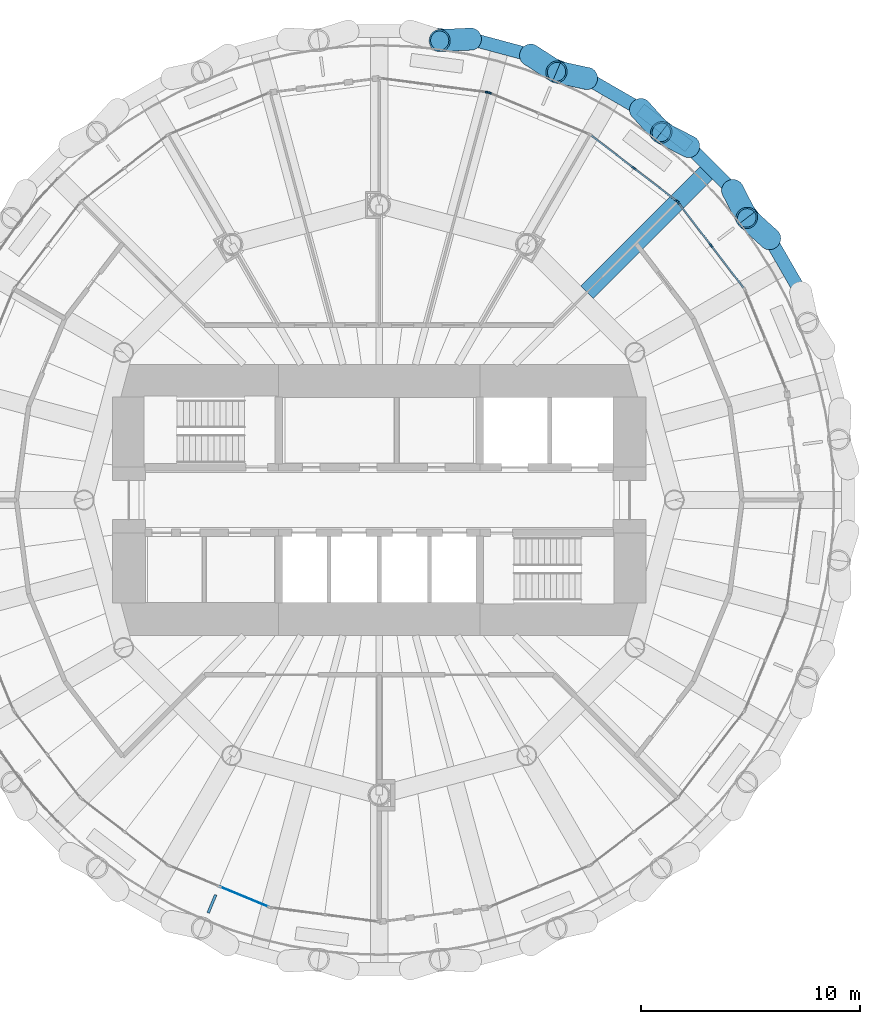
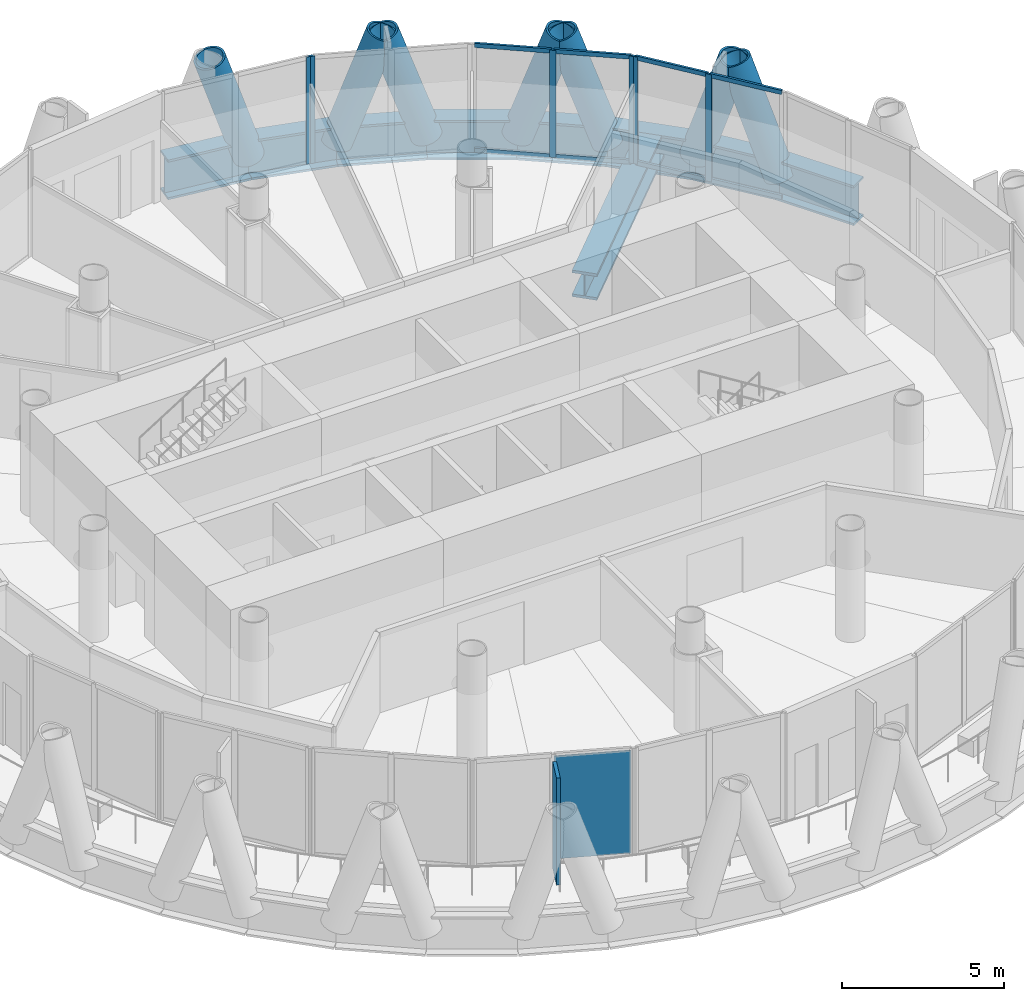
# One storey, part 7 of 15: 21 members, 9 beams, 2 plates, 5 elements without a shape of their own.
"""IFC4 building model written with IfcOpenShell, lengths in metres."""

from ifc_helpers import new_model, si_unit, direction, frame, origin, origin_2d, place, context, subcontext, project, spatial, rectangle, hollow_circle, i_section, extrude, material, layer, layer_set, material_profile, profile_set, type_object, element, aggregate, save


model = new_model("IFC4")

# Units and contexts
model_context = context("Model", 3, precision=1e-05, world=origin(), true_north=direction((0.0, 1.0)))
body_context = subcontext(model_context, "Body", "Model", "MODEL_VIEW")
ifc_project = project(units=[si_unit("LENGTHUNIT", "METRE"), si_unit("AREAUNIT", "SQUARE_METRE"), si_unit("VOLUMEUNIT", "CUBIC_METRE"), si_unit("PLANEANGLEUNIT", "RADIAN"), si_unit("MASSUNIT", "GRAM", prefix="KILO")], contexts=[model_context])

# Site, building, storey
site_placement = place(None, origin())
site = spatial("IfcSite", under=ifc_project, at=site_placement, CompositionType="ELEMENT")
building_placement = place(site_placement, origin())
building = spatial("IfcBuilding", under=site, at=building_placement, Name="Qaws Media Tower", CompositionType="ELEMENT")
storey_placement = place(building_placement, frame((0.0, 0.0, 265.39990234375)))
storey = spatial("IfcBuildingStorey", under=building, at=storey_placement, Name="L61", CompositionType="ELEMENT", Elevation=265.39990234375)

# Curtain wall, members
ifc_material_1 = material(Name="Aluminium and clear glass", Category="aluminium")
curtain_wall_type = type_object("IfcCurtainWallType", Name="Unitised curtain wall CW-D", PredefinedType="NOTDEFINED", material=ifc_material_1)
curtain_wall_1_placement = place(storey_placement, origin())
curtain_wall_1 = element("IfcCurtainWall", 1, at=curtain_wall_1_placement, inside=storey, type_object=curtain_wall_type, Name="CWD curtain wall L61-03", PredefinedType="NOTDEFINED")
ifc_material_2 = material(Name="Aluminium mullion", Category="aluminium")
ifc_material_profile_1 = material_profile(ifc_material_2, rectangle(XDim=0.080078125, YDim=0.199951171875, at=origin_2d()), Name="80x200")
ifc_profile_set_1 = profile_set([ifc_material_profile_1], Name="Aluminium mullion")
member_type_1 = type_object("IfcMemberType", Name="Curtain wall mullion 80x200", PredefinedType="MULLION", material=ifc_profile_set_1)
member_1_placement = place(storey_placement, frame((75.1806640625, 61.648681640625, 0.0), z_axis=(0.0, 0.0, 1.0), x_axis=(-0.79335338924, -0.608761365217, 0.0)))
member_1 = element("IfcMember", 2, at=member_1_placement, type_object=member_type_1, Name="CWD mullion 2", PredefinedType="MULLION", context=body_context, shape_type="SweptSolid", body=[
    extrude(rectangle(XDim=0.080078125, YDim=0.199951171875, at=origin_2d()), origin(), (0.0, 0.0, 1.0), 4.0400390625),
])
member_2_placement = place(storey_placement, frame((73.671630859375, 63.615478515625, 0.0), z_axis=(0.0, 0.0, 1.0), x_axis=(-0.79335338924, -0.608761365217, 0.0)))
member_2 = element("IfcMember", 3, at=member_2_placement, type_object=member_type_1, Name="CWD mullion 3", PredefinedType="MULLION", context=body_context, shape_type="SweptSolid", body=[
    extrude(rectangle(XDim=0.080078125, YDim=0.199951171875, at=origin_2d()), origin(), (0.0, 0.0, 1.0), 4.0400390625),
])

curtain_wall_2_placement = place(storey_placement, origin())
curtain_wall_2 = element("IfcCurtainWall", 4, at=curtain_wall_2_placement, inside=storey, type_object=curtain_wall_type, Name="CWD curtain wall L61-04", PredefinedType="NOTDEFINED")
member_3_placement = place(storey_placement, frame((73.615478515625, 63.671630859375, 0.0), z_axis=(0.0, 0.0, 1.0), x_axis=(-0.608761365217, -0.79335338924, 0.0)))
member_3 = element("IfcMember", 5, at=member_3_placement, type_object=member_type_1, Name="CWD mullion 1", PredefinedType="MULLION", context=body_context, shape_type="SweptSolid", body=[
    extrude(rectangle(XDim=0.080078125, YDim=0.199951171875, at=origin_2d()), origin(), (0.0, 0.0, 1.0), 4.0400390625),
])
member_4_placement = place(storey_placement, frame((71.648681640625, 65.1806640625, 0.0), z_axis=(0.0, 0.0, 1.0), x_axis=(-0.608761365217, -0.79335338924, 0.0)))
member_4 = element("IfcMember", 6, at=member_4_placement, type_object=member_type_1, Name="CWD mullion 2", PredefinedType="MULLION", context=body_context, shape_type="SweptSolid", body=[
    extrude(rectangle(XDim=0.080078125, YDim=0.199951171875, at=origin_2d()), origin(), (0.0, 0.0, 1.0), 4.0400390625),
])

# Curtain wall, member
curtain_wall_3_placement = place(storey_placement, origin())
curtain_wall_3 = element("IfcCurtainWall", 7, at=curtain_wall_3_placement, inside=storey, type_object=curtain_wall_type, Name="CWD curtain wall L61-05", PredefinedType="NOTDEFINED")
member_5_placement = place(storey_placement, frame((65.0322265625, 68.626953125, 0.0), z_axis=(0.0, 0.0, 1.0), x_axis=(-0.382683436364, -0.923879530855, 0.0)))
member_5 = element("IfcMember", 8, at=member_5_placement, type_object=member_type_1, Name="CWD mullion 3", PredefinedType="MULLION", context=body_context, shape_type="SweptSolid", body=[
    extrude(rectangle(XDim=0.080078125, YDim=0.199951171875, at=origin_2d()), origin(), (0.0, 0.0, 1.0), 4.0400390625),
])
aggregate(curtain_wall_3, [member_5])

curtain_wall_4_placement = place(storey_placement, origin())
curtain_wall_4 = element("IfcCurtainWall", 9, at=curtain_wall_4_placement, inside=storey, type_object=curtain_wall_type, Name="CWD curtain wall L61-06", PredefinedType="NOTDEFINED")
member_6_placement = place(storey_placement, frame((64.95556640625, 68.647705078125, 0.0), z_axis=(0.0, 0.0, 1.0), x_axis=(-0.130526268479, -0.991444851334, 0.0)))
member_6 = element("IfcMember", 10, at=member_6_placement, type_object=member_type_1, Name="CWD mullion 1", PredefinedType="MULLION", context=body_context, shape_type="SweptSolid", body=[
    extrude(rectangle(XDim=0.080078125, YDim=0.199951171875, at=origin_2d()), origin(), (0.0, 0.0, 1.0), 4.0400390625),
])
aggregate(curtain_wall_4, [member_6])

# Member
ifc_material_3 = material(Name="Aluminium transom", Category="aluminium")
ifc_material_profile_2 = material_profile(ifc_material_3, rectangle(XDim=0.080078125, YDim=0.159912109375, at=origin_2d()), Name="80x160")
ifc_profile_set_2 = profile_set([ifc_material_profile_2], Name="Aluminium transom")
member_type_2 = type_object("IfcMemberType", Name="Curtain wall transom 80x160", PredefinedType="USERDEFINED", material=ifc_profile_set_2)
member_7_placement = place(storey_placement, frame((76.66552734375, 59.71337890625, 0.0400390625), z_axis=(-0.608707082525, 0.793395038858, 0.0), x_axis=(-0.793395038858, -0.608707082525, 0.0)))
member_7 = element("IfcMember", 11, at=member_7_placement, type_object=member_type_2, Name="CWD transom 1.1", ObjectType="TRANSOM", PredefinedType="USERDEFINED", context=body_context, shape_type="SweptSolid", body=[
    extrude(rectangle(XDim=0.080078125, YDim=0.159912109375, at=origin_2d()), origin(), (0.0, 0.0, 1.0), 2.399169921875),
])

member_8_placement = place(storey_placement, frame((76.66552734375, 59.71337890625, 4.0), z_axis=(-0.608707082525, 0.793395038858, 0.0), x_axis=(-0.793395038858, -0.608707082525, 0.0)))
member_8 = element("IfcMember", 12, at=member_8_placement, type_object=member_type_2, Name="CWD transom 1.2", ObjectType="TRANSOM", PredefinedType="USERDEFINED", context=body_context, shape_type="SweptSolid", body=[
    extrude(rectangle(XDim=0.080078125, YDim=0.159912109375, at=origin_2d()), origin(), (0.0, 0.0, 1.0), 2.399169921875),
])

member_9_placement = place(storey_placement, frame((75.156494140625, 61.680419921875, 0.0400390625), z_axis=(-0.608820274454, 0.793308183126, 0.0), x_axis=(-0.793308183126, -0.608820274454, 0.0)))
member_9 = element("IfcMember", 13, at=member_9_placement, type_object=member_type_2, Name="CWD transom 2.1", ObjectType="TRANSOM", PredefinedType="USERDEFINED", context=body_context, shape_type="SweptSolid", body=[
    extrude(rectangle(XDim=0.080078125, YDim=0.159912109375, at=origin_2d()), origin(), (0.0, 0.0, 1.0), 2.399169921875),
])

member_10_placement = place(storey_placement, frame((75.156494140625, 61.680419921875, 4.0), z_axis=(-0.608820274454, 0.793308183126, 0.0), x_axis=(-0.793308183126, -0.608820274454, 0.0)))
member_10 = element("IfcMember", 14, at=member_10_placement, type_object=member_type_2, Name="CWD transom 2.2", ObjectType="TRANSOM", PredefinedType="USERDEFINED", context=body_context, shape_type="SweptSolid", body=[
    extrude(rectangle(XDim=0.080078125, YDim=0.159912109375, at=origin_2d()), origin(), (0.0, 0.0, 1.0), 2.399169921875),
])

aggregate(curtain_wall_1, [member_1, member_2, member_7, member_8, member_9, member_10])

member_11_placement = place(storey_placement, frame((73.583740234375, 63.69580078125, 0.0400390625), z_axis=(-0.793308183126, 0.608820274454, 0.0), x_axis=(-0.608820274454, -0.793308183126, 0.0)))
member_11 = element("IfcMember", 15, at=member_11_placement, type_object=member_type_2, Name="CWD transom 1.1", ObjectType="TRANSOM", PredefinedType="USERDEFINED", context=body_context, shape_type="SweptSolid", body=[
    extrude(rectangle(XDim=0.080078125, YDim=0.159912109375, at=origin_2d()), origin(), (0.0, 0.0, 1.0), 2.399169921875),
])

member_12_placement = place(storey_placement, frame((73.583740234375, 63.69580078125, 4.0), z_axis=(-0.793308183126, 0.608820274454, 0.0), x_axis=(-0.608820274454, -0.793308183126, 0.0)))
member_12 = element("IfcMember", 16, at=member_12_placement, type_object=member_type_2, Name="CWD transom 1.2", ObjectType="TRANSOM", PredefinedType="USERDEFINED", context=body_context, shape_type="SweptSolid", body=[
    extrude(rectangle(XDim=0.080078125, YDim=0.159912109375, at=origin_2d()), origin(), (0.0, 0.0, 1.0), 2.399169921875),
])

member_13_placement = place(storey_placement, frame((71.616943359375, 65.205078125, 0.0400390625), z_axis=(-0.793395038858, 0.608707082525, 0.0), x_axis=(-0.608707082525, -0.793395038858, 0.0)))
member_13 = element("IfcMember", 17, at=member_13_placement, type_object=member_type_2, Name="CWD transom 2.1", ObjectType="TRANSOM", PredefinedType="USERDEFINED", context=body_context, shape_type="SweptSolid", body=[
    extrude(rectangle(XDim=0.080078125, YDim=0.159912109375, at=origin_2d()), origin(), (0.0, 0.0, 1.0), 2.399169921875),
])

member_14_placement = place(storey_placement, frame((71.616943359375, 65.205078125, 4.0), z_axis=(-0.793395038858, 0.608707082525, 0.0), x_axis=(-0.608707082525, -0.793395038858, 0.0)))
member_14 = element("IfcMember", 18, at=member_14_placement, type_object=member_type_2, Name="CWD transom 2.2", ObjectType="TRANSOM", PredefinedType="USERDEFINED", context=body_context, shape_type="SweptSolid", body=[
    extrude(rectangle(XDim=0.080078125, YDim=0.159912109375, at=origin_2d()), origin(), (0.0, 0.0, 1.0), 2.399169921875),
])

aggregate(curtain_wall_2, [member_3, member_4, member_11, member_12, member_13, member_14])

# Members
ifc_material_4 = material(Name="Steel S460", Category="steel")
ifc_material_profile_3 = material_profile(ifc_material_4, hollow_circle(Radius=0.508056640625, WallThickness=0.070068359375, at=origin_2d()), Name="CHS 1016x70")
ifc_profile_set_3 = profile_set([ifc_material_profile_3], Name="Steel S460")
member_type_3 = type_object("IfcMemberType", Name="Diagrid member CHS 1016x70", PredefinedType="USERDEFINED", material=ifc_profile_set_3)
for number, where, z_axis, x_axis, name in (
    (19, (77.876708984375, 61.94482421875, -0.909912109375), (-0.23839596915, 0.216603539837, 0.946704953205), (-0.672468675167, -0.740125584559, 0.0), "DG3 diagrid L61 A03"),
    (20, (74.176025390625, 66.16455078125, -0.909912109375), (-0.286328025543, 0.147539003744, 0.946704021415), (-0.458046599294, -0.888928182068, 0.0), "DG3 diagrid L61 A04"),
    (21, (76.16455078125, 64.176025390625, -0.909912109375), (0.147539003744, -0.286328025543, 0.946704021415), (0.888928182068, 0.458046599294, 0.0), "DG3 diagrid L61 B04"),
):
    element("IfcMember", number, at=place(storey_placement, frame(where, z_axis=z_axis, x_axis=x_axis)), inside=storey, type_object=member_type_3, Name=name, ObjectType="DIAGRID", PredefinedType="USERDEFINED", context=body_context, shape_type="SweptSolid", body=[
        extrude(hollow_circle(Radius=0.508056640625, WallThickness=0.070068359375, at=origin_2d()), origin(), (0.0, 0.0, 1.0), 4.436279296875),
    ])
member_15_placement = place(storey_placement, frame((69.50927734375, 69.28271484375, -0.909912109375), z_axis=(-0.314777089822, 0.068403482981, 0.946697600736), x_axis=(-0.212351625581, -0.977193321259, 0.0)))
element("IfcMember", 22, at=member_15_placement, inside=storey, type_object=member_type_3, Name="DG3 diagrid L61 A05", ObjectType="DIAGRID", PredefinedType="USERDEFINED", context=body_context, shape_type="SweptSolid", body=[
    extrude(hollow_circle(Radius=0.508056640625, WallThickness=0.070068359375, at=origin_2d()), origin(), (0.0, 0.0, 1.0), 4.4365234375),
])
for number, where, z_axis, x_axis, name in (
    (23, (71.94482421875, 67.876708984375, -0.909912109375), (0.216603539837, -0.23839596915, 0.946704953205), (0.740125584559, 0.672468675167, 0.0), "DG3 diagrid L61 B05"),
    (24, (64.1943359375, 71.0869140625, -0.909912109375), (-0.321715537287, -0.015408886493, 0.946710979806), (0.047841154259, -0.998854956417, 0.0), "DG3 diagrid L61 A06"),
    (25, (66.910888671875, 70.35888671875, -0.909912109375), (0.270921638249, -0.174175702835, 0.946712358887), (0.540783498183, 0.841161820397, 0.0), "DG3 diagrid L61 B06"),
):
    element("IfcMember", number, at=place(storey_placement, frame(where, z_axis=z_axis, x_axis=x_axis)), inside=storey, type_object=member_type_3, Name=name, ObjectType="DIAGRID", PredefinedType="USERDEFINED", context=body_context, shape_type="SweptSolid", body=[
        extrude(hollow_circle(Radius=0.508056640625, WallThickness=0.070068359375, at=origin_2d()), origin(), (0.0, 0.0, 1.0), 4.436279296875),
    ])

# Beams
ifc_material_5 = material(Name="Steel S460", Category="steel")
ifc_material_profile_4 = material_profile(ifc_material_5, i_section(OverallWidth=0.60009765625, OverallDepth=1.5, WebThickness=0.030029296875, FlangeThickness=0.080078125, at=origin_2d()), Name="PG 1500x600")
ifc_profile_set_4 = profile_set([ifc_material_profile_4], Name="Steel S460")
beam_type_1 = type_object("IfcBeamType", Name="Edge ring beam PG 1500x600", PredefinedType="BEAM", material=ifc_profile_set_4)
beam_1_placement = place(storey_placement, frame((79.28271484375, 59.50927734375, -0.909912109375), z_axis=(-0.499957919771, 0.866049697453, 0.0), x_axis=(-0.866049697453, -0.499957919771, 0.0)))
element("IfcBeam", 26, at=beam_1_placement, inside=storey, type_object=beam_type_1, Name="RB5 edge ring beam L61-04", PredefinedType="BEAM", context=body_context, shape_type="SweptSolid", body=[
    extrude(i_section(OverallWidth=0.60009765625, OverallDepth=1.5, WebThickness=0.030029296875, FlangeThickness=0.080078125, at=origin_2d()), origin(), (0.0, 0.0, 1.0), 2.812255859375),
])
beam_2_placement = place(storey_placement, frame((77.876708984375, 61.94482421875, -0.909912109375), z_axis=(-0.60878321046, 0.793336626321, 0.0), x_axis=(-0.793336626321, -0.60878321046, 0.0)))
element("IfcBeam", 27, at=beam_2_placement, inside=storey, type_object=beam_type_1, Name="RB5 edge ring beam L61-05", PredefinedType="BEAM", context=body_context, shape_type="SweptSolid", body=[
    extrude(i_section(OverallWidth=0.60009765625, OverallDepth=1.5, WebThickness=0.030029296875, FlangeThickness=0.080078125, at=origin_2d()), origin(), (0.0, 0.0, 1.0), 2.8125),
])
beam_3_placement = place(storey_placement, frame((76.16455078125, 64.176025390625, -0.909912109375), z_axis=(-0.707106781187, 0.707106781187, 0.0), x_axis=(-0.707106781187, -0.707106781187, 0.0)))
element("IfcBeam", 28, at=beam_3_placement, inside=storey, type_object=beam_type_1, Name="RB5 edge ring beam L61-06", PredefinedType="BEAM", context=body_context, shape_type="SweptSolid", body=[
    extrude(i_section(OverallWidth=0.60009765625, OverallDepth=1.5, WebThickness=0.030029296875, FlangeThickness=0.080078125, at=origin_2d()), origin(), (0.0, 0.0, 1.0), 2.812255859375),
])
beam_4_placement = place(storey_placement, frame((74.176025390625, 66.16455078125, -0.909912109375), z_axis=(-0.793336626321, 0.60878321046, 0.0), x_axis=(-0.60878321046, -0.793336626321, 0.0)))
element("IfcBeam", 29, at=beam_4_placement, inside=storey, type_object=beam_type_1, Name="RB5 edge ring beam L61-07", PredefinedType="BEAM", context=body_context, shape_type="SweptSolid", body=[
    extrude(i_section(OverallWidth=0.60009765625, OverallDepth=1.5, WebThickness=0.030029296875, FlangeThickness=0.080078125, at=origin_2d()), origin(), (0.0, 0.0, 1.0), 2.8125),
])
beam_5_placement = place(storey_placement, frame((71.94482421875, 67.876708984375, -0.909912109375), z_axis=(-0.866049697453, 0.499957919771, 0.0), x_axis=(-0.499957919771, -0.866049697453, 0.0)))
element("IfcBeam", 30, at=beam_5_placement, inside=storey, type_object=beam_type_1, Name="RB5 edge ring beam L61-08", PredefinedType="BEAM", context=body_context, shape_type="SweptSolid", body=[
    extrude(i_section(OverallWidth=0.60009765625, OverallDepth=1.5, WebThickness=0.030029296875, FlangeThickness=0.080078125, at=origin_2d()), origin(), (0.0, 0.0, 1.0), 2.812255859375),
])
for number, where, z_axis, x_axis, name in (
    (31, (69.50927734375, 69.28271484375, -0.909912109375), (-0.923894108428, 0.382648241093, 0.0), (-0.382648241093, -0.923894108428, 0.0), "RB5 edge ring beam L61-09"),
    (32, (66.910888671875, 70.35888671875, -0.909912109375), (-0.965914337671, 0.258861917402, 0.0), (-0.258861917402, -0.965914337671, 0.0), "RB5 edge ring beam L61-10"),
):
    element("IfcBeam", number, at=place(storey_placement, frame(where, z_axis=z_axis, x_axis=x_axis)), inside=storey, type_object=beam_type_1, Name=name, PredefinedType="BEAM", context=body_context, shape_type="SweptSolid", body=[
        extrude(i_section(OverallWidth=0.60009765625, OverallDepth=1.5, WebThickness=0.030029296875, FlangeThickness=0.080078125, at=origin_2d()), origin(), (0.0, 0.0, 1.0), 2.8125),
    ])
beam_6_placement = place(storey_placement, frame((64.1943359375, 71.0869140625, -0.909912109375), z_axis=(-0.991450158087, 0.13048595338, 0.0), x_axis=(-0.13048595338, -0.991450158087, 0.0)))
element("IfcBeam", 33, at=beam_6_placement, inside=storey, type_object=beam_type_1, Name="RB5 edge ring beam L61-11", PredefinedType="BEAM", context=body_context, shape_type="SweptSolid", body=[
    extrude(i_section(OverallWidth=0.60009765625, OverallDepth=1.5, WebThickness=0.030029296875, FlangeThickness=0.080078125, at=origin_2d()), origin(), (0.0, 0.0, 1.0), 2.81201171875),
])
ifc_material_6 = material(Name="Steel S460", Category="steel")
ifc_material_profile_5 = material_profile(ifc_material_6, i_section(OverallWidth=0.800048828125, OverallDepth=1.0, WebThickness=0.0400390625, FlangeThickness=0.10009765625, at=origin_2d()), Name="PG 1000x800")
ifc_profile_set_5 = profile_set([ifc_material_profile_5], Name="Steel S460")
beam_type_2 = type_object("IfcBeamType", Name="Radial girder PG 1000x800", PredefinedType="BEAM", material=ifc_profile_set_5)
beam_7_placement = place(storey_placement, frame((69.50341796875, 59.50341796875, -0.659912109375), z_axis=(0.707106781187, 0.707106781187, 0.0), x_axis=(-0.707106781187, 0.707106781187, 0.0)))
element("IfcBeam", 34, at=beam_7_placement, inside=storey, type_object=beam_type_2, Name="B1 radial beam L61 04", PredefinedType="BEAM", context=body_context, shape_type="SweptSolid", body=[
    extrude(i_section(OverallWidth=0.800048828125, OverallDepth=1.0, WebThickness=0.0400390625, FlangeThickness=0.10009765625, at=origin_2d()), origin(), (0.0, 0.0, 1.0), 8.013916015625),
])

# Curtain wall, plate
curtain_wall_5_placement = place(storey_placement, origin())
curtain_wall_5 = element("IfcCurtainWall", 35, at=curtain_wall_5_placement, inside=storey, type_object=curtain_wall_type, Name="CWD curtain wall L61-17", PredefinedType="NOTDEFINED")
ifc_material_7 = material(Name="Clear laminated double glazing", Category="glass")
ifc_layer_1 = layer(ifc_material_7, 0.031982421875)
ifc_layer_set_1 = layer_set([ifc_layer_1], Name="Curtain wall glass unit 32")
plate_type_1 = type_object("IfcPlateType", Name="Curtain wall glass unit 32", PredefinedType="CURTAIN_PANEL", material=ifc_layer_set_1)
plate_1_placement = place(storey_placement, frame((53.822509765625, 31.847412109375, 0.080078125), z_axis=(0.0, 0.0, 1.0), x_axis=(0.923879530855, -0.382683436364, 0.0)))
plate_1 = element("IfcPlate", 36, at=plate_1_placement, type_object=plate_type_1, Name="CWD panel 2.1", PredefinedType="CURTAIN_PANEL", context=body_context, shape_type="SweptSolid", body=[
    extrude(rectangle(XDim=2.399169921875, YDim=0.031982421875, at=origin_2d()), origin(), (0.0, 0.0, 1.0), 3.8798828125),
])
aggregate(curtain_wall_5, [plate_1])

# Plate
ifc_material_8 = material(Name="Precast concrete screen fin", Category="concrete")
ifc_layer_2 = layer(ifc_material_8, 0.1201171875)
ifc_layer_set_2 = layer_set([ifc_layer_2], Name="Screen fin 120x900")
plate_type_2 = type_object("IfcPlateType", Name="Screen fin 120x900", PredefinedType="USERDEFINED", material=ifc_layer_set_2)
plate_2_placement = place(storey_placement, frame((52.346435546875, 31.5224609375, 0.0), z_axis=(0.0, 0.0, 1.0), x_axis=(-0.382683432365, -0.923879532511, 0.0)))
element("IfcPlate", 37, at=plate_2_placement, inside=storey, type_object=plate_type_2, Name="SCR1 screen fin L61-09", ObjectType="SCREEN", PredefinedType="USERDEFINED", context=body_context, shape_type="SweptSolid", body=[
    extrude(rectangle(XDim=0.89990234375, YDim=0.1201171875, at=origin_2d()), origin(), (0.0, 0.0, 1.0), 4.0400390625),
])

save(model, "model.ifc")
